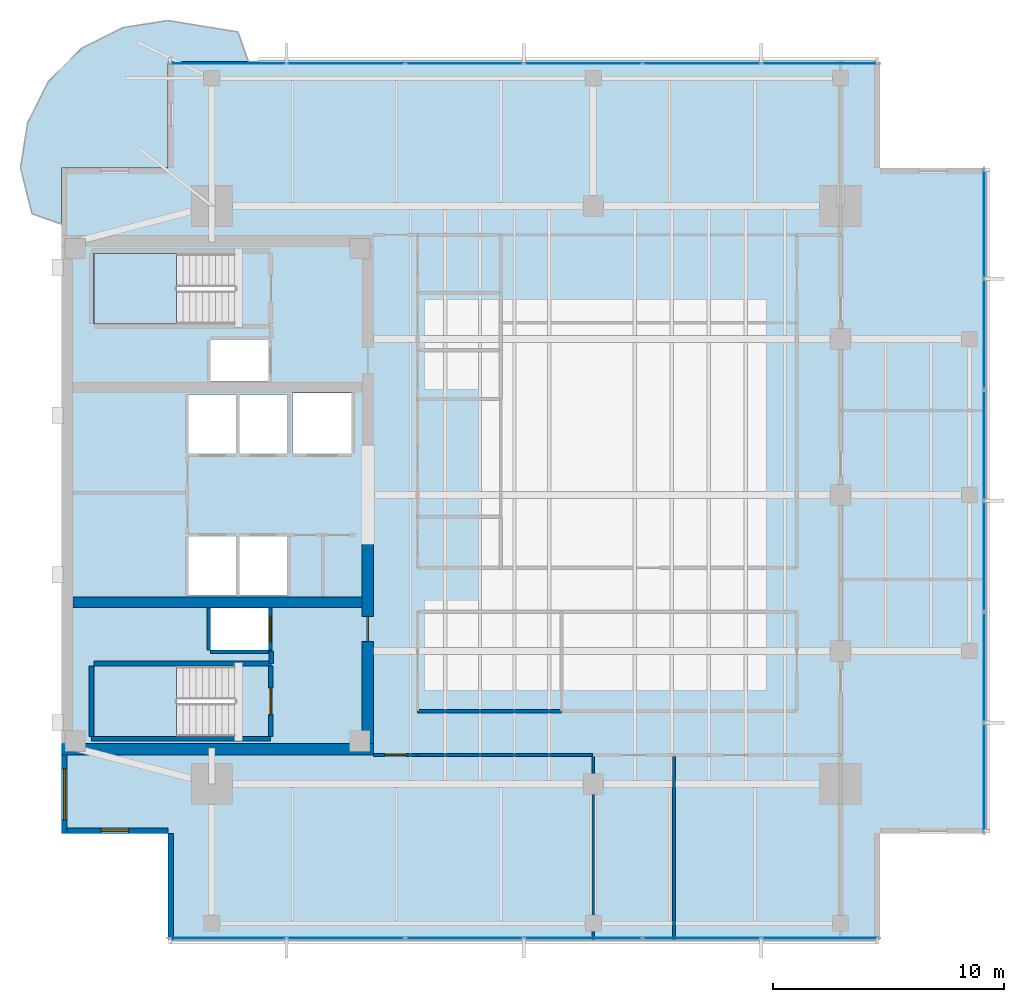
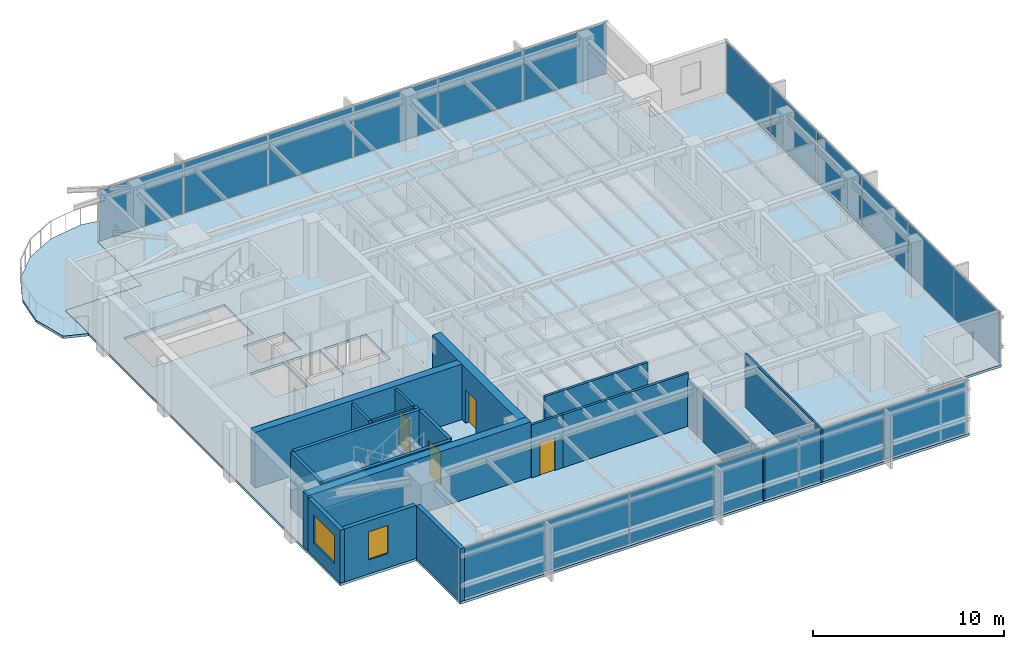
# One storey, part 7 of 14: 19 walls, 18 plates, 4 doors, 4 slabs, 2 windows, 6 openings, 5 elements without a shape of their own.
"""IFC4 building model written with IfcOpenShell, lengths in metres."""

from ifc_helpers import new_model, si_unit, direction, frame, frame_2d, origin, origin_2d, place, context, subcontext, project, spatial, polyline, rectangle, outline, extrude, material, layer, layer_set, type_object, element, fill, aggregate, save


model = new_model("IFC4")

# Units and contexts
model_context = context("Model", 3, precision=1e-05, world=origin(), true_north=direction((0.0, 1.0)))
body_context = subcontext(model_context, "Body", "Model", "MODEL_VIEW")
ifc_project = project(units=[si_unit("LENGTHUNIT", "METRE"), si_unit("AREAUNIT", "SQUARE_METRE"), si_unit("VOLUMEUNIT", "CUBIC_METRE"), si_unit("PLANEANGLEUNIT", "RADIAN"), si_unit("MASSUNIT", "GRAM", prefix="KILO")], contexts=[model_context])

# Site, building, storey
site_placement = place(None, origin())
site = spatial("IfcSite", under=ifc_project, at=site_placement, CompositionType="ELEMENT")
building_placement = place(site_placement, origin())
building = spatial("IfcBuilding", under=site, at=building_placement, Name="Kinhvarn Gate Tower", CompositionType="ELEMENT")
storey_placement = place(building_placement, frame((0.0, 0.0, 270.550048828125)))
storey = spatial("IfcBuildingStorey", under=building, at=storey_placement, Name="L72", CompositionType="ELEMENT", Elevation=270.550048828125)

# Curtain wall, plates
ifc_material_1 = material(Name="Anodised aluminium AW-6063", Category="aluminium")
ifc_layer_1 = layer(ifc_material_1, 0.179931640625)
ifc_layer_set_1 = layer_set([ifc_layer_1], Name="Anodised aluminium AW-6063")
curtain_wall_type = type_object("IfcCurtainWallType", Name="CW-SYS-3", PredefinedType="NOTDEFINED", material=ifc_layer_set_1)
curtain_wall_1_placement = place(storey_placement, origin())
curtain_wall_1 = element("IfcCurtainWall", 1, at=curtain_wall_1_placement, inside=storey, type_object=curtain_wall_type, Name="Curtain Wall CW3 (L72)", PredefinedType="NOTDEFINED")
ifc_material_2 = material(Name="Clear low-e double glazing", Category="glass")
ifc_layer_2 = layer(ifc_material_2, 0.031982421875)
ifc_layer_set_2 = layer_set([ifc_layer_2], Name="Clear low-e double glazing")
plate_type = type_object("IfcPlateType", Name="CW-PNL-VIS", PredefinedType="CURTAIN_PANEL", material=ifc_layer_set_2)
plate_1_placement = place(storey_placement, frame((11.682861328125, 6.090087890625, 0.070068359375), z_axis=(0.0, 0.0, 1.0), x_axis=(1.0, 0.0, 0.0)))
plate_1 = element("IfcPlate", 2, at=plate_1_placement, type_object=plate_type, Name="CW3 panel 1.1", PredefinedType="CURTAIN_PANEL", context=body_context, shape_type="SweptSolid", body=[
    extrude(rectangle(XDim=5.035888671875, YDim=0.031982421875, at=origin_2d()), origin(), (0.0, 0.0, 1.0), 3.25),
])
plate_2_placement = place(storey_placement, frame((16.800048828125, 6.090087890625, 0.070068359375), z_axis=(0.0, 0.0, 1.0), x_axis=(1.0, 0.0, 0.0)))
plate_2 = element("IfcPlate", 3, at=plate_2_placement, type_object=plate_type, Name="CW3 panel 2.1", PredefinedType="CURTAIN_PANEL", context=body_context, shape_type="SweptSolid", body=[
    extrude(rectangle(XDim=5.068359375, YDim=0.031982421875, at=origin_2d()), origin(), (0.0, 0.0, 1.0), 3.25),
])
plate_3_placement = place(storey_placement, frame((21.933349609375, 6.090087890625, 0.070068359375), z_axis=(0.0, 0.0, 1.0), x_axis=(1.0, 0.0, 0.0)))
plate_3 = element("IfcPlate", 4, at=plate_3_placement, type_object=plate_type, Name="CW3 panel 3.1", PredefinedType="CURTAIN_PANEL", context=body_context, shape_type="SweptSolid", body=[
    extrude(rectangle(XDim=5.068359375, YDim=0.031982421875, at=origin_2d()), origin(), (0.0, 0.0, 1.0), 3.25),
])
plate_4_placement = place(storey_placement, frame((27.066650390625, 6.090087890625, 0.070068359375), z_axis=(0.0, 0.0, 1.0), x_axis=(1.0, 0.0, 0.0)))
plate_4 = element("IfcPlate", 5, at=plate_4_placement, type_object=plate_type, Name="CW3 panel 4.1", PredefinedType="CURTAIN_PANEL", context=body_context, shape_type="SweptSolid", body=[
    extrude(rectangle(XDim=5.068359375, YDim=0.031982421875, at=origin_2d()), origin(), (0.0, 0.0, 1.0), 3.25),
])
plate_5_placement = place(storey_placement, frame((32.199951171875, 6.090087890625, 0.070068359375), z_axis=(0.0, 0.0, 1.0), x_axis=(1.0, 0.0, 0.0)))
plate_5 = element("IfcPlate", 6, at=plate_5_placement, type_object=plate_type, Name="CW3 panel 5.1", PredefinedType="CURTAIN_PANEL", context=body_context, shape_type="SweptSolid", body=[
    extrude(rectangle(XDim=5.068359375, YDim=0.031982421875, at=origin_2d()), origin(), (0.0, 0.0, 1.0), 3.25),
])
plate_6_placement = place(storey_placement, frame((37.317138671875, 6.090087890625, 0.070068359375), z_axis=(0.0, 0.0, 1.0), x_axis=(1.0, 0.0, 0.0)))
plate_6 = element("IfcPlate", 7, at=plate_6_placement, type_object=plate_type, Name="CW3 panel 6.1", PredefinedType="CURTAIN_PANEL", context=body_context, shape_type="SweptSolid", body=[
    extrude(rectangle(XDim=5.035888671875, YDim=0.031982421875, at=origin_2d()), origin(), (0.0, 0.0, 1.0), 3.25),
])
aggregate(curtain_wall_1, [plate_1, plate_2, plate_3, plate_4, plate_5, plate_6])

curtain_wall_2_placement = place(storey_placement, origin())
curtain_wall_2 = element("IfcCurtainWall", 8, at=curtain_wall_2_placement, inside=storey, type_object=curtain_wall_type, Name="Curtain Wall CW3 (L72)", PredefinedType="NOTDEFINED")
plate_7_placement = place(storey_placement, frame((37.317138671875, 43.909912109375, 0.070068359375), z_axis=(0.0, 0.0, 1.0), x_axis=(-1.0, 0.0, 0.0)))
plate_7 = element("IfcPlate", 9, at=plate_7_placement, type_object=plate_type, Name="CW3 panel 1.1", PredefinedType="CURTAIN_PANEL", context=body_context, shape_type="SweptSolid", body=[
    extrude(rectangle(XDim=5.035888671875, YDim=0.031982421875, at=origin_2d()), origin(), (0.0, 0.0, 1.0), 3.25),
])
plate_8_placement = place(storey_placement, frame((32.199951171875, 43.909912109375, 0.070068359375), z_axis=(0.0, 0.0, 1.0), x_axis=(-1.0, 0.0, 0.0)))
plate_8 = element("IfcPlate", 10, at=plate_8_placement, type_object=plate_type, Name="CW3 panel 2.1", PredefinedType="CURTAIN_PANEL", context=body_context, shape_type="SweptSolid", body=[
    extrude(rectangle(XDim=5.068359375, YDim=0.031982421875, at=origin_2d()), origin(), (0.0, 0.0, 1.0), 3.25),
])
plate_9_placement = place(storey_placement, frame((27.066650390625, 43.909912109375, 0.070068359375), z_axis=(0.0, 0.0, 1.0), x_axis=(-1.0, 0.0, 0.0)))
plate_9 = element("IfcPlate", 11, at=plate_9_placement, type_object=plate_type, Name="CW3 panel 3.1", PredefinedType="CURTAIN_PANEL", context=body_context, shape_type="SweptSolid", body=[
    extrude(rectangle(XDim=5.068359375, YDim=0.031982421875, at=origin_2d()), origin(), (0.0, 0.0, 1.0), 3.25),
])
plate_10_placement = place(storey_placement, frame((21.933349609375, 43.909912109375, 0.070068359375), z_axis=(0.0, 0.0, 1.0), x_axis=(-1.0, 0.0, 0.0)))
plate_10 = element("IfcPlate", 12, at=plate_10_placement, type_object=plate_type, Name="CW3 panel 4.1", PredefinedType="CURTAIN_PANEL", context=body_context, shape_type="SweptSolid", body=[
    extrude(rectangle(XDim=5.068359375, YDim=0.031982421875, at=origin_2d()), origin(), (0.0, 0.0, 1.0), 3.25),
])
plate_11_placement = place(storey_placement, frame((16.800048828125, 43.909912109375, 0.070068359375), z_axis=(0.0, 0.0, 1.0), x_axis=(-1.0, 0.0, 0.0)))
plate_11 = element("IfcPlate", 13, at=plate_11_placement, type_object=plate_type, Name="CW3 panel 5.1", PredefinedType="CURTAIN_PANEL", context=body_context, shape_type="SweptSolid", body=[
    extrude(rectangle(XDim=5.068359375, YDim=0.031982421875, at=origin_2d()), origin(), (0.0, 0.0, 1.0), 3.25),
])
plate_12_placement = place(storey_placement, frame((11.682861328125, 43.909912109375, 0.070068359375), z_axis=(0.0, 0.0, 1.0), x_axis=(-1.0, 0.0, 0.0)))
plate_12 = element("IfcPlate", 14, at=plate_12_placement, type_object=plate_type, Name="CW3 panel 6.1", PredefinedType="CURTAIN_PANEL", context=body_context, shape_type="SweptSolid", body=[
    extrude(rectangle(XDim=5.035888671875, YDim=0.031982421875, at=origin_2d()), origin(), (0.0, 0.0, 1.0), 3.25),
])
aggregate(curtain_wall_2, [plate_7, plate_8, plate_9, plate_10, plate_11, plate_12])

curtain_wall_3_placement = place(storey_placement, origin())
curtain_wall_3 = element("IfcCurtainWall", 15, at=curtain_wall_3_placement, inside=storey, type_object=curtain_wall_type, Name="Curtain Wall CW3 (L72)", PredefinedType="NOTDEFINED")
plate_13_placement = place(storey_placement, frame((44.409912109375, 13.016357421875, 0.070068359375), z_axis=(0.0, 0.0, 1.0), x_axis=(0.0, 1.0, 0.0)))
plate_13 = element("IfcPlate", 16, at=plate_13_placement, type_object=plate_type, Name="CW3 panel 1.1", PredefinedType="CURTAIN_PANEL", context=body_context, shape_type="SweptSolid", body=[
    extrude(rectangle(XDim=4.702392578125, YDim=0.031982421875, at=origin_2d()), origin(), (0.0, 0.0, 1.0), 3.25),
])
plate_14_placement = place(storey_placement, frame((44.409912109375, 17.800048828125, 0.070068359375), z_axis=(0.0, 0.0, 1.0), x_axis=(0.0, 1.0, 0.0)))
plate_14 = element("IfcPlate", 17, at=plate_14_placement, type_object=plate_type, Name="CW3 panel 2.1", PredefinedType="CURTAIN_PANEL", context=body_context, shape_type="SweptSolid", body=[
    extrude(rectangle(XDim=4.735107421875, YDim=0.031982421875, at=origin_2d()), origin(), (0.0, 0.0, 1.0), 3.25),
])
plate_15_placement = place(storey_placement, frame((44.409912109375, 22.60009765625, 0.070068359375), z_axis=(0.0, 0.0, 1.0), x_axis=(0.0, 1.0, 0.0)))
plate_15 = element("IfcPlate", 18, at=plate_15_placement, type_object=plate_type, Name="CW3 panel 3.1", PredefinedType="CURTAIN_PANEL", context=body_context, shape_type="SweptSolid", body=[
    extrude(rectangle(XDim=4.735107421875, YDim=0.031982421875, at=origin_2d()), origin(), (0.0, 0.0, 1.0), 3.25),
])
plate_16_placement = place(storey_placement, frame((44.409912109375, 27.39990234375, 0.070068359375), z_axis=(0.0, 0.0, 1.0), x_axis=(0.0, 1.0, 0.0)))
plate_16 = element("IfcPlate", 19, at=plate_16_placement, type_object=plate_type, Name="CW3 panel 4.1", PredefinedType="CURTAIN_PANEL", context=body_context, shape_type="SweptSolid", body=[
    extrude(rectangle(XDim=4.735107421875, YDim=0.031982421875, at=origin_2d()), origin(), (0.0, 0.0, 1.0), 3.25),
])
plate_17_placement = place(storey_placement, frame((44.409912109375, 32.199951171875, 0.070068359375), z_axis=(0.0, 0.0, 1.0), x_axis=(0.0, 1.0, 0.0)))
plate_17 = element("IfcPlate", 20, at=plate_17_placement, type_object=plate_type, Name="CW3 panel 5.1", PredefinedType="CURTAIN_PANEL", context=body_context, shape_type="SweptSolid", body=[
    extrude(rectangle(XDim=4.735107421875, YDim=0.031982421875, at=origin_2d()), origin(), (0.0, 0.0, 1.0), 3.25),
])
plate_18_placement = place(storey_placement, frame((44.409912109375, 36.983642578125, 0.070068359375), z_axis=(0.0, 0.0, 1.0), x_axis=(0.0, 1.0, 0.0)))
plate_18 = element("IfcPlate", 21, at=plate_18_placement, type_object=plate_type, Name="CW3 panel 6.1", PredefinedType="CURTAIN_PANEL", context=body_context, shape_type="SweptSolid", body=[
    extrude(rectangle(XDim=4.702392578125, YDim=0.031982421875, at=origin_2d()), origin(), (0.0, 0.0, 1.0), 3.25),
])
aggregate(curtain_wall_3, [plate_13, plate_14, plate_15, plate_16, plate_17, plate_18])

# Slabs
ifc_material_3 = material(Name="Precast white architectural concrete C40/50", Category="concrete")
ifc_layer_3 = layer(ifc_material_3, 0.159912109375)
ifc_layer_set_3 = layer_set([ifc_layer_3], Name="Precast white architectural concrete C40/50")
slab_type_1 = type_object("IfcSlabType", Name="SLB-BAL-160", PredefinedType="FLOOR", material=ifc_layer_set_3)
slab_1_placement = place(storey_placement, frame((0.0, 0.0, -0.16015625)))
element("IfcSlab", 22, at=slab_1_placement, inside=storey, type_object=slab_type_1, Name="S-Carve Curved Terrace Balcony Slab L72 (NW)", PredefinedType="FLOOR", context=body_context, shape_type="SweptSolid", body=[
    extrude(outline(polyline([(12.5830078125, 44.0), (12.133056640625, 45.2744140625), (9.10009765625, 45.77001953125), (7.131591796875, 45.458251953125), (5.355712890625, 44.553466796875), (3.946533203125, 43.144287109375), (3.041748046875, 41.368408203125), (2.72998046875, 39.39990234375), (3.2255859375, 37.4150390625), (4.5, 36.965087890625), (4.5, 39.39990234375), (9.10009765625, 39.39990234375), (9.10009765625, 44.0), (12.5830078125, 44.0)])), origin(), (0.0, 0.0, 1.0), 0.16015625),
])
ifc_material_4 = material(Name="Concrete C40/50", Category="concrete")
ifc_layer_4 = layer(ifc_material_4, 0.159912109375)
ifc_layer_set_4 = layer_set([ifc_layer_4], Name="Concrete C40/50")
slab_type_2 = type_object("IfcSlabType", Name="SLB-FLR-160", PredefinedType="FLOOR", material=ifc_layer_set_4)
slab_2_placement = place(storey_placement, frame((0.0, 0.0, -0.16015625)))
element("IfcSlab", 23, at=slab_2_placement, inside=storey, type_object=slab_type_2, Name="Suspended Floor Slab L72", PredefinedType="FLOOR", context=body_context, shape_type="SweptSolid", body=[
    extrude(outline(polyline([(9.10009765625, 6.0), (39.89990234375, 6.0), (39.89990234375, 10.60009765625), (44.5, 10.60009765625), (44.5, 39.39990234375), (39.89990234375, 39.39990234375), (39.89990234375, 44.0), (9.10009765625, 44.0), (9.10009765625, 39.39990234375), (4.5, 39.39990234375), (4.5, 10.60009765625), (9.10009765625, 10.60009765625), (9.10009765625, 6.0)]), holes=[polyline([(5.89990234375, 14.800048828125), (12.0, 14.800048828125), (12.0, 17.85009765625), (5.89990234375, 17.85009765625), (5.89990234375, 14.800048828125)]), polyline([(5.89990234375, 32.64990234375), (12.0, 32.64990234375), (12.0, 35.699951171875), (5.89990234375, 35.699951171875), (5.89990234375, 32.64990234375)]), polyline([(10.0, 20.89990234375), (12.050048828125, 20.89990234375), (12.050048828125, 23.449951171875), (10.0, 23.449951171875), (10.0, 20.89990234375)]), polyline([(12.199951171875, 20.89990234375), (14.25, 20.89990234375), (14.25, 23.449951171875), (12.199951171875, 23.449951171875), (12.199951171875, 20.89990234375)]), polyline([(10.0, 27.050048828125), (12.050048828125, 27.050048828125), (12.050048828125, 29.60009765625), (10.0, 29.60009765625), (10.0, 27.050048828125)]), polyline([(12.199951171875, 27.050048828125), (14.25, 27.050048828125), (14.25, 29.60009765625), (12.199951171875, 29.60009765625), (12.199951171875, 27.050048828125)]), polyline([(14.5, 27.050048828125), (17.050048828125, 27.050048828125), (17.050048828125, 29.64990234375), (14.5, 29.64990234375), (14.5, 27.050048828125)]), polyline([(10.949951171875, 18.550048828125), (13.449951171875, 18.550048828125), (13.449951171875, 20.35009765625), (10.949951171875, 20.35009765625), (10.949951171875, 18.550048828125)]), polyline([(10.949951171875, 30.14990234375), (13.449951171875, 30.14990234375), (13.449951171875, 31.949951171875), (10.949951171875, 31.949951171875), (10.949951171875, 30.14990234375)])]), origin(), (0.0, 0.0, 1.0), 0.16015625),
])

# Stair, slab
stair_type = type_object("IfcStairType", Name="STR-DLG-178", PredefinedType="HALF_TURN_STAIR", material=ifc_material_4)
stair_1_placement = place(storey_placement, origin())
stair_1 = element("IfcStair", 24, at=stair_1_placement, inside=storey, type_object=stair_type, Name="L72 Core Smokeproof Exit Stair ST1", PredefinedType="HALF_TURN_STAIR")
ifc_layer_5 = layer(ifc_material_4, 0.199951171875)
ifc_layer_set_5 = layer_set([ifc_layer_5], Name="Concrete C40/50")
slab_type_3 = type_object("IfcSlabType", Name="SLB-ST-LND", PredefinedType="LANDING", material=ifc_layer_set_5)
slab_3_placement = place(storey_placement, frame((0.0, 0.0, 1.574951171875)))
slab_3 = element("IfcSlab", 25, at=slab_3_placement, type_object=slab_type_3, Name="ST1 landing 1", PredefinedType="LANDING", context=body_context, shape_type="SweptSolid", body=[
    extrude(outline(polyline([(9.47998046875, 17.85009765625), (5.89990234375, 17.85009765625), (5.89990234375, 14.800048828125), (9.47998046875, 14.800048828125), (9.47998046875, 17.85009765625)])), origin(), (0.0, 0.0, 1.0), 0.199951171875),
])
aggregate(stair_1, [slab_3])

stair_2_placement = place(storey_placement, origin())
stair_2 = element("IfcStair", 26, at=stair_2_placement, inside=storey, type_object=stair_type, Name="L72 Core Smokeproof Exit Stair ST2", PredefinedType="HALF_TURN_STAIR")
slab_4_placement = place(storey_placement, frame((0.0, 0.0, 1.574951171875)))
slab_4 = element("IfcSlab", 27, at=slab_4_placement, type_object=slab_type_3, Name="ST2 landing 1", PredefinedType="LANDING", context=body_context, shape_type="SweptSolid", body=[
    extrude(outline(polyline([(9.47998046875, 35.699951171875), (5.89990234375, 35.699951171875), (5.89990234375, 32.64990234375), (9.47998046875, 32.64990234375), (9.47998046875, 35.699951171875)])), origin(), (0.0, 0.0, 1.0), 0.199951171875),
])
aggregate(stair_2, [slab_4])

# Walls
ifc_material_5 = material(Name="Concrete C50/60", Category="concrete")
ifc_layer_6 = layer(ifc_material_5, 0.449951171875)
ifc_layer_set_6 = layer_set([ifc_layer_6], Name="Concrete C50/60")
wall_type_1 = type_object("IfcWallType", Name="WL-CORE-450", PredefinedType="SHEAR", material=ifc_layer_set_6)
wall_1_placement = place(storey_placement, frame((5.0, 20.60009765625, 0.0), z_axis=(0.0, 0.0, 1.0), x_axis=(1.0, 0.0, 0.0)))
element("IfcWall", 28, at=wall_1_placement, inside=storey, type_object=wall_type_1, Name="Core South Spine Shear Wall L72 450 mm", PredefinedType="SHEAR", context=body_context, shape_type="SweptSolid", body=[
    extrude(rectangle(XDim=12.5, YDim=0.449951171875, at=frame_2d((6.25, 0.0))), origin(), (0.0, 0.0, 1.0), 3.550048828125),
])
ifc_layer_7 = layer(ifc_material_5, 0.5)
ifc_layer_set_7 = layer_set([ifc_layer_7], Name="Concrete C50/60")
wall_type_2 = type_object("IfcWallType", Name="WL-CORE-500", PredefinedType="SHEAR", material=ifc_layer_set_7)
wall_2_placement = place(storey_placement, frame((4.5, 14.25, 0.0), z_axis=(0.0, 0.0, 1.0), x_axis=(1.0, 0.0, 0.0)))
element("IfcWall", 29, at=wall_2_placement, inside=storey, type_object=wall_type_2, Name="Core South Shear Wall L72 500 mm", PredefinedType="SHEAR", context=body_context, shape_type="SweptSolid", body=[
    extrude(rectangle(XDim=13.5, YDim=0.5, at=frame_2d((6.75, 0.0))), origin(), (0.0, 0.0, 1.0), 3.550048828125),
])

# Wall, opening, door
wall_3_placement = place(storey_placement, frame((17.75, 14.5, 0.0), z_axis=(0.0, 0.0, 1.0), x_axis=(0.0, 1.0, 0.0)))
wall_3 = element("IfcWall", 30, at=wall_3_placement, inside=storey, type_object=wall_type_2, Name="Core East-South Shear Pier L72 500 mm", PredefinedType="SHEAR", context=body_context, shape_type="SweptSolid", body=[
    extrude(rectangle(XDim=8.949951171875, YDim=0.5, at=frame_2d((4.47509765625, 0.0))), origin(), (0.0, 0.0, 1.0), 3.550048828125),
])
opening_1_placement = place(wall_3_placement, frame((4.39990234375, 0.0, 0.0)))
opening_1 = element("IfcOpeningElement", 31, at=opening_1_placement, cuts=wall_3, Name="Opening FD-02", PredefinedType="OPENING", context=body_context, shape_type="SweptSolid", body=[
    extrude(rectangle(XDim=1.10009765625, YDim=2.14990234375, at=frame_2d((0.550048828125, 1.074951171875))), frame((0.0, 0.260009765625, 0.0), z_axis=(0.0, -1.0, 0.0), x_axis=(1.0, 0.0, 0.0)), (0.0, 0.0, 1.0), 0.52001953125),
])
door_type_1 = type_object("IfcDoorType", Name="DR-FD-1100", OperationType="NOTDEFINED", PredefinedType="DOOR", material=ifc_material_1)
door_1_placement = place(opening_1_placement, origin())
door_1 = element("IfcDoor", 32, at=door_1_placement, inside=storey, type_object=door_type_1, Name="Firefighting Lobby Core Door (L72)", OperationType="SINGLE_SWING_RIGHT", OverallHeight=2.14990234375, OverallWidth=1.10009765625, PredefinedType="DOOR", context=body_context, shape_type="SweptSolid", body=[
    extrude(rectangle(XDim=1.10009765625, YDim=2.14990234375, at=frame_2d((0.550048828125, 1.074951171875))), frame((0.0, 0.02490234375, 0.0), z_axis=(0.0, -1.0, 0.0), x_axis=(1.0, 0.0, 0.0)), (0.0, 0.0, 1.0), 0.050048828125),
])
fill(opening_1, door_1)

# Wall, opening, window
ifc_material_6 = material(Name="Fired architectural terracotta", Category="masonry")
ifc_layer_8 = layer(ifc_material_6, 0.25)
ifc_layer_set_8 = layer_set([ifc_layer_8], Name="Fired architectural terracotta")
wall_type_3 = type_object("IfcWallType", Name="WL-EXT-250", PredefinedType="SOLIDWALL", material=ifc_layer_set_8)
wall_4_placement = place(storey_placement, frame((4.625, 14.0, 0.0), z_axis=(0.0, 0.0, 1.0), x_axis=(0.0, -1.0, 0.0)))
wall_4 = element("IfcWall", 33, at=wall_4_placement, inside=storey, type_object=wall_type_3, Name="Exterior Solidwall Wall EW-250 (L72 West-South)", PredefinedType="SOLIDWALL", context=body_context, shape_type="SweptSolid", body=[
    extrude(rectangle(XDim=3.39990234375, YDim=0.25, at=frame_2d((1.699951171875, 0.0))), origin(), (0.0, 0.0, 1.0), 3.389892578125),
])
opening_2_placement = place(wall_4_placement, frame((0.60009765625, 0.0, 0.89990234375)))
opening_2 = element("IfcOpeningElement", 34, at=opening_2_placement, cuts=wall_4, Name="Opening WN-01", PredefinedType="OPENING", context=body_context, shape_type="SweptSolid", body=[
    extrude(rectangle(XDim=2.199951171875, YDim=1.800048828125, at=frame_2d((1.10009765625, 0.89990234375))), frame((0.0, 0.135009765625, 0.0), z_axis=(0.0, -1.0, 0.0), x_axis=(1.0, 0.0, 0.0)), (0.0, 0.0, 1.0), 0.27001953125),
])
window_type_1 = type_object("IfcWindowType", Name="WIN-RIB-2200", PartitioningType="SINGLE_PANEL", PredefinedType="WINDOW", material=ifc_material_2)
window_1_placement = place(opening_2_placement, origin())
window_1 = element("IfcWindow", 35, at=window_1_placement, inside=storey, type_object=window_type_1, Name="West Flank Double-Glazed Ribbon Window 2200x1800 mm (L72)", OverallHeight=1.800048828125, OverallWidth=2.199951171875, PartitioningType="SINGLE_PANEL", PredefinedType="WINDOW", context=body_context, shape_type="SweptSolid", body=[
    extrude(rectangle(XDim=2.199951171875, YDim=1.800048828125, at=frame_2d((1.10009765625, 0.89990234375))), frame((0.0, 0.030029296875, 0.0), z_axis=(0.0, -1.0, 0.0), x_axis=(1.0, 0.0, 0.0)), (0.0, 0.0, 1.0), 0.06005859375),
])
fill(opening_2, window_1)

wall_5_placement = place(storey_placement, frame((4.5, 10.72509765625, 0.0), z_axis=(0.0, 0.0, 1.0), x_axis=(1.0, 0.0, 0.0)))
wall_5 = element("IfcWall", 36, at=wall_5_placement, inside=storey, type_object=wall_type_3, Name="Exterior Solidwall Wall EW-250 (L72 SW-Notch-1)", PredefinedType="SOLIDWALL", context=body_context, shape_type="SweptSolid", body=[
    extrude(rectangle(XDim=4.60009765625, YDim=0.25, at=frame_2d((2.300048828125, 0.0))), origin(), (0.0, 0.0, 1.0), 3.389892578125),
])
opening_3_placement = place(wall_5_placement, frame((1.699951171875, 0.0, 0.89990234375)))
opening_3 = element("IfcOpeningElement", 37, at=opening_3_placement, cuts=wall_5, Name="Opening WN-02", PredefinedType="OPENING", context=body_context, shape_type="SweptSolid", body=[
    extrude(rectangle(XDim=1.199951171875, YDim=1.800048828125, at=frame_2d((0.60009765625, 0.89990234375))), frame((0.0, 0.135009765625, 0.0), z_axis=(0.0, -1.0, 0.0), x_axis=(1.0, 0.0, 0.0)), (0.0, 0.0, 1.0), 0.27001953125),
])
window_type_2 = type_object("IfcWindowType", Name="WIN-NTC-1200", PartitioningType="SINGLE_PANEL", PredefinedType="WINDOW", material=ifc_material_2)
window_2_placement = place(opening_3_placement, origin())
window_2 = element("IfcWindow", 38, at=window_2_placement, inside=storey, type_object=window_type_2, Name="Recessed Corner Notch Punched Window 1200x1800 mm (L72)", OverallHeight=1.800048828125, OverallWidth=1.199951171875, PartitioningType="SINGLE_PANEL", PredefinedType="WINDOW", context=body_context, shape_type="SweptSolid", body=[
    extrude(rectangle(XDim=1.199951171875, YDim=1.800048828125, at=frame_2d((0.60009765625, 0.89990234375))), frame((0.0, 0.030029296875, 0.0), z_axis=(0.0, -1.0, 0.0), x_axis=(1.0, 0.0, 0.0)), (0.0, 0.0, 1.0), 0.06005859375),
])
fill(opening_3, window_2)

# Walls
wall_6_placement = place(storey_placement, frame((9.22509765625, 10.60009765625, 0.0), z_axis=(0.0, 0.0, 1.0), x_axis=(0.0, -1.0, 0.0)))
element("IfcWall", 39, at=wall_6_placement, inside=storey, type_object=wall_type_3, Name="Exterior Solidwall Wall EW-250 (L72 SW-Notch-2)", PredefinedType="SOLIDWALL", context=body_context, shape_type="SweptSolid", body=[
    extrude(rectangle(XDim=4.60009765625, YDim=0.25, at=frame_2d((2.300048828125, 0.0))), origin(), (0.0, 0.0, 1.0), 3.389892578125),
])
ifc_material_7 = material(Name="Gypsum acoustic partition board")
ifc_layer_9 = layer(ifc_material_7, 0.1201171875)
ifc_layer_set_9 = layer_set([ifc_layer_9], Name="Gypsum acoustic partition board")
wall_type_4 = type_object("IfcWallType", Name="WL-PRT-120", PredefinedType="PARTITIONING", material=ifc_layer_set_9)
wall_7_placement = place(storey_placement, frame((27.5, 6.010009765625, 0.0), z_axis=(0.0, 0.0, 1.0), x_axis=(0.0, 1.0, 0.0)))
element("IfcWall", 40, at=wall_7_placement, inside=storey, type_object=wall_type_4, Name="Interior Partition PW-120 (L72)", PredefinedType="PARTITIONING", context=body_context, shape_type="SweptSolid", body=[
    extrude(rectangle(XDim=7.989990234375, YDim=0.1201171875, at=frame_2d((3.9951171875, 0.0))), origin(), (0.0, 0.0, 1.0), 2.989990234375),
])
wall_8_placement = place(storey_placement, frame((31.0, 6.010009765625, 0.0), z_axis=(0.0, 0.0, 1.0), x_axis=(0.0, 1.0, 0.0)))
element("IfcWall", 41, at=wall_8_placement, inside=storey, type_object=wall_type_4, Name="Interior Partition PW-120 (L72)", PredefinedType="PARTITIONING", context=body_context, shape_type="SweptSolid", body=[
    extrude(rectangle(XDim=7.989990234375, YDim=0.1201171875, at=frame_2d((3.9951171875, 0.0))), origin(), (0.0, 0.0, 1.0), 3.389892578125),
])

# Wall, opening, door
ifc_layer_10 = layer(ifc_material_7, 0.14990234375)
ifc_layer_set_10 = layer_set([ifc_layer_10], Name="Gypsum acoustic partition board")
wall_type_5 = type_object("IfcWallType", Name="WL-PRT-150F", PredefinedType="PARTITIONING", material=ifc_layer_set_10)
wall_9_placement = place(storey_placement, frame((18.0, 14.0, 0.0), z_axis=(0.0, 0.0, 1.0), x_axis=(1.0, 0.0, 0.0)))
wall_9 = element("IfcWall", 42, at=wall_9_placement, inside=storey, type_object=wall_type_5, Name="Interior Partition PW-150F (L72)", PredefinedType="PARTITIONING", context=body_context, shape_type="SweptSolid", body=[
    extrude(rectangle(XDim=1.89990234375, YDim=0.14990234375, at=frame_2d((0.949951171875, 0.0))), origin(), (0.0, 0.0, 1.0), 3.389892578125),
])
opening_4_placement = place(wall_9_placement, frame((0.5, 0.0, 0.0)))
opening_4 = element("IfcOpeningElement", 43, at=opening_4_placement, cuts=wall_9, Name="Opening ID-03", PredefinedType="OPENING", context=body_context, shape_type="SweptSolid", body=[
    extrude(rectangle(XDim=0.89990234375, YDim=2.10009765625, at=frame_2d((0.449951171875, 1.050048828125))), frame((0.0, 0.0849609375, 0.0), z_axis=(0.0, -1.0, 0.0), x_axis=(1.0, 0.0, 0.0)), (0.0, 0.0, 1.0), 0.169921875),
])
door_type_2 = type_object("IfcDoorType", Name="DR-INT-900", OperationType="NOTDEFINED", PredefinedType="DOOR", material=ifc_material_1)
door_2_placement = place(opening_4_placement, origin())
door_2 = element("IfcDoor", 44, at=door_2_placement, inside=storey, type_object=door_type_2, Name="Cellular Office & Restroom Door 900x2100 mm (L72)", OperationType="SINGLE_SWING_RIGHT", OverallHeight=2.10009765625, OverallWidth=0.89990234375, PredefinedType="DOOR", context=body_context, shape_type="SweptSolid", body=[
    extrude(rectangle(XDim=0.89990234375, YDim=2.10009765625, at=frame_2d((0.449951171875, 1.050048828125))), frame((0.0, 0.02490234375, 0.0), z_axis=(0.0, -1.0, 0.0), x_axis=(1.0, 0.0, 0.0)), (0.0, 0.0, 1.0), 0.050048828125),
])
fill(opening_4, door_2)

# Walls
wall_10_placement = place(storey_placement, frame((19.89990234375, 15.89990234375, 0.0), z_axis=(0.0, 0.0, 1.0), x_axis=(1.0, 0.0, 0.0)))
element("IfcWall", 45, at=wall_10_placement, inside=storey, type_object=wall_type_5, Name="Interior Partition PW-150F (L72)", PredefinedType="PARTITIONING", context=body_context, shape_type="SweptSolid", body=[
    extrude(rectangle(XDim=6.22998046875, YDim=0.14990234375, at=frame_2d((3.114990234375, 0.0))), origin(), (0.0, 0.0, 1.0), 3.389892578125),
])
wall_11_placement = place(storey_placement, frame((19.89990234375, 14.0, 0.0), z_axis=(0.0, 0.0, 1.0), x_axis=(1.0, 0.0, 0.0)))
element("IfcWall", 46, at=wall_11_placement, inside=storey, type_object=wall_type_5, Name="Interior Partition PW-150F (L72)", PredefinedType="PARTITIONING", context=body_context, shape_type="SweptSolid", body=[
    extrude(rectangle(XDim=7.60009765625, YDim=0.14990234375, at=frame_2d((3.800048828125, 0.0))), origin(), (0.0, 0.0, 1.0), 3.389892578125),
])
ifc_layer_11 = layer(ifc_material_7, 0.199951171875)
ifc_layer_set_11 = layer_set([ifc_layer_11], Name="Gypsum acoustic partition board")
wall_type_6 = type_object("IfcWallType", Name="WL-PRT-200", PredefinedType="PARTITIONING", material=ifc_layer_set_11)
wall_12_placement = place(storey_placement, frame((13.580078125, 17.9599609375, 0.0), z_axis=(0.0, 0.0, 1.0), x_axis=(0.0, 1.0, 0.0)))
element("IfcWall", 47, at=wall_12_placement, inside=storey, type_object=wall_type_6, Name="Interior Partition PW-200 (L72)", PredefinedType="PARTITIONING", context=body_context, shape_type="SweptSolid", body=[
    extrude(rectangle(XDim=0.5400390625, YDim=0.199951171875, at=frame_2d((0.27001953125, 0.0))), origin(), (0.0, 0.0, 1.0), 3.389892578125),
])
ifc_layer_12 = layer(ifc_material_7, 0.14990234375)
ifc_layer_set_12 = layer_set([ifc_layer_12], Name="Gypsum acoustic partition board")
wall_type_7 = type_object("IfcWallType", Name="WL-SHF-150", PredefinedType="PARTITIONING", material=ifc_layer_set_12)
wall_13_placement = place(storey_placement, frame((10.949951171875, 18.47509765625, 0.0), z_axis=(0.0, 0.0, 1.0), x_axis=(1.0, 0.0, 0.0)))
element("IfcWall", 48, at=wall_13_placement, inside=storey, type_object=wall_type_7, Name="Elevator FF1 Hoistway Wall S (L72)", PredefinedType="PARTITIONING", context=body_context, shape_type="SweptSolid", body=[
    extrude(rectangle(XDim=2.5, YDim=0.14990234375, at=frame_2d((1.25, 0.0))), origin(), (0.0, 0.0, 1.0), 3.389892578125),
])
wall_14_placement = place(storey_placement, frame((10.875, 18.550048828125, 0.0), z_axis=(0.0, 0.0, 1.0), x_axis=(0.0, 1.0, 0.0)))
element("IfcWall", 49, at=wall_14_placement, inside=storey, type_object=wall_type_7, Name="Elevator FF1 Hoistway Wall W (L72)", PredefinedType="PARTITIONING", context=body_context, shape_type="SweptSolid", body=[
    extrude(rectangle(XDim=1.800048828125, YDim=0.14990234375, at=frame_2d((0.89990234375, 0.0))), origin(), (0.0, 0.0, 1.0), 3.389892578125),
])

# Wall, opening, door
wall_15_placement = place(storey_placement, frame((13.52490234375, 18.550048828125, 0.0), z_axis=(0.0, 0.0, 1.0), x_axis=(0.0, 1.0, 0.0)))
wall_15 = element("IfcWall", 50, at=wall_15_placement, inside=storey, type_object=wall_type_7, Name="Elevator FF1 Landing Wall (L72)", PredefinedType="PARTITIONING", context=body_context, shape_type="SweptSolid", body=[
    extrude(rectangle(XDim=1.800048828125, YDim=0.14990234375, at=frame_2d((0.89990234375, 0.0))), origin(), (0.0, 0.0, 1.0), 3.389892578125),
])
opening_5_placement = place(wall_15_placement, frame((0.35009765625, 0.0, 0.0)))
opening_5 = element("IfcOpeningElement", 51, at=opening_5_placement, cuts=wall_15, Name="Opening LD-03", PredefinedType="OPENING", context=body_context, shape_type="SweptSolid", body=[
    extrude(rectangle(XDim=1.10009765625, YDim=2.199951171875, at=frame_2d((0.550048828125, 1.10009765625))), frame((0.0, 0.0849609375, 0.0), z_axis=(0.0, -1.0, 0.0), x_axis=(1.0, 0.0, 0.0)), (0.0, 0.0, 1.0), 0.169921875),
])
door_type_3 = type_object("IfcDoorType", Name="DR-LND-FF", OperationType="NOTDEFINED", PredefinedType="DOOR", material=ifc_material_1)
door_3_placement = place(opening_5_placement, origin())
door_3 = element("IfcDoor", 52, at=door_3_placement, inside=storey, type_object=door_type_3, Name="Elevator FF1 Sliding Landing Door (L72)", OperationType="DOUBLE_DOOR_SLIDING", OverallHeight=2.199951171875, OverallWidth=1.10009765625, PredefinedType="DOOR", context=body_context, shape_type="SweptSolid", body=[
    extrude(rectangle(XDim=1.10009765625, YDim=2.199951171875, at=frame_2d((0.550048828125, 1.10009765625))), frame((0.0, 0.02490234375, 0.0), z_axis=(0.0, -1.0, 0.0), x_axis=(1.0, 0.0, 0.0)), (0.0, 0.0, 1.0), 0.050048828125),
])
fill(opening_5, door_3)

# Walls
ifc_layer_13 = layer(ifc_material_4, 0.199951171875)
ifc_layer_set_13 = layer_set([ifc_layer_13], Name="Concrete C40/50")
wall_type_8 = type_object("IfcWallType", Name="WL-SHF-200", PredefinedType="SOLIDWALL", material=ifc_layer_set_13)
wall_16_placement = place(storey_placement, frame((5.800048828125, 14.699951171875, 0.0), z_axis=(0.0, 0.0, 1.0), x_axis=(1.0, 0.0, 0.0)))
element("IfcWall", 53, at=wall_16_placement, inside=storey, type_object=wall_type_8, Name="Stair ST1 South Shaft Wall (L72)", PredefinedType="SOLIDWALL", context=body_context, shape_type="SweptSolid", body=[
    extrude(rectangle(XDim=7.75, YDim=0.199951171875, at=frame_2d((3.875, 0.0))), origin(), (0.0, 0.0, 1.0), 3.550048828125),
])
wall_17_placement = place(storey_placement, frame((5.7900390625, 14.800048828125, 0.0), z_axis=(0.0, 0.0, 1.0), x_axis=(0.0, 1.0, 0.0)))
element("IfcWall", 54, at=wall_17_placement, inside=storey, type_object=wall_type_8, Name="Stair ST1 West Shaft Wall (L72)", PredefinedType="SOLIDWALL", context=body_context, shape_type="SweptSolid", body=[
    extrude(rectangle(XDim=3.050048828125, YDim=0.199951171875, at=frame_2d((1.52490234375, 0.0))), origin(), (0.0, 0.0, 1.0), 3.550048828125),
])
wall_18_placement = place(storey_placement, frame((5.89990234375, 17.9599609375, 0.0), z_axis=(0.0, 0.0, 1.0), x_axis=(1.0, 0.0, 0.0)))
element("IfcWall", 55, at=wall_18_placement, inside=storey, type_object=wall_type_8, Name="Stair ST1 North Shaft Wall (L72)", PredefinedType="SOLIDWALL", context=body_context, shape_type="SweptSolid", body=[
    extrude(rectangle(XDim=7.66015625, YDim=0.199951171875, at=frame_2d((3.830078125, 0.0))), origin(), (0.0, 0.0, 1.0), 3.550048828125),
])

# Wall, opening, door
wall_19_placement = place(storey_placement, frame((13.56005859375, 14.800048828125, 0.0), z_axis=(0.0, 0.0, 1.0), x_axis=(0.0, 1.0, 0.0)))
wall_19 = element("IfcWall", 56, at=wall_19_placement, inside=storey, type_object=wall_type_8, Name="Stair ST1 East Entry Wall (L72)", PredefinedType="SOLIDWALL", context=body_context, shape_type="SweptSolid", body=[
    extrude(rectangle(XDim=3.050048828125, YDim=0.199951171875, at=frame_2d((1.52490234375, 0.0))), origin(), (0.0, 0.0, 1.0), 3.550048828125),
])
opening_6_placement = place(wall_19_placement, frame((0.949951171875, 0.0, 0.0)))
opening_6 = element("IfcOpeningElement", 57, at=opening_6_placement, cuts=wall_19, Name="Opening FD-01", PredefinedType="OPENING", context=body_context, shape_type="SweptSolid", body=[
    extrude(rectangle(XDim=1.14990234375, YDim=2.14990234375, at=frame_2d((0.574951171875, 1.074951171875))), frame((0.0, 0.10986328125, 0.0), z_axis=(0.0, -1.0, 0.0), x_axis=(1.0, 0.0, 0.0)), (0.0, 0.0, 1.0), 0.219970703125),
])
door_type_4 = type_object("IfcDoorType", Name="DR-ST-1150", OperationType="NOTDEFINED", PredefinedType="DOOR", material=ifc_material_1)
door_4_placement = place(opening_6_placement, origin())
door_4 = element("IfcDoor", 58, at=door_4_placement, inside=storey, type_object=door_type_4, Name="Exit Stair ST1 Fire Door (L72)", OperationType="SINGLE_SWING_RIGHT", OverallHeight=2.14990234375, OverallWidth=1.14990234375, PredefinedType="DOOR", context=body_context, shape_type="SweptSolid", body=[
    extrude(rectangle(XDim=1.14990234375, YDim=2.14990234375, at=frame_2d((0.574951171875, 1.074951171875))), frame((0.0, 0.02490234375, 0.0), z_axis=(0.0, -1.0, 0.0), x_axis=(1.0, 0.0, 0.0)), (0.0, 0.0, 1.0), 0.050048828125),
])
fill(opening_6, door_4)

save(model, "model.ifc")
